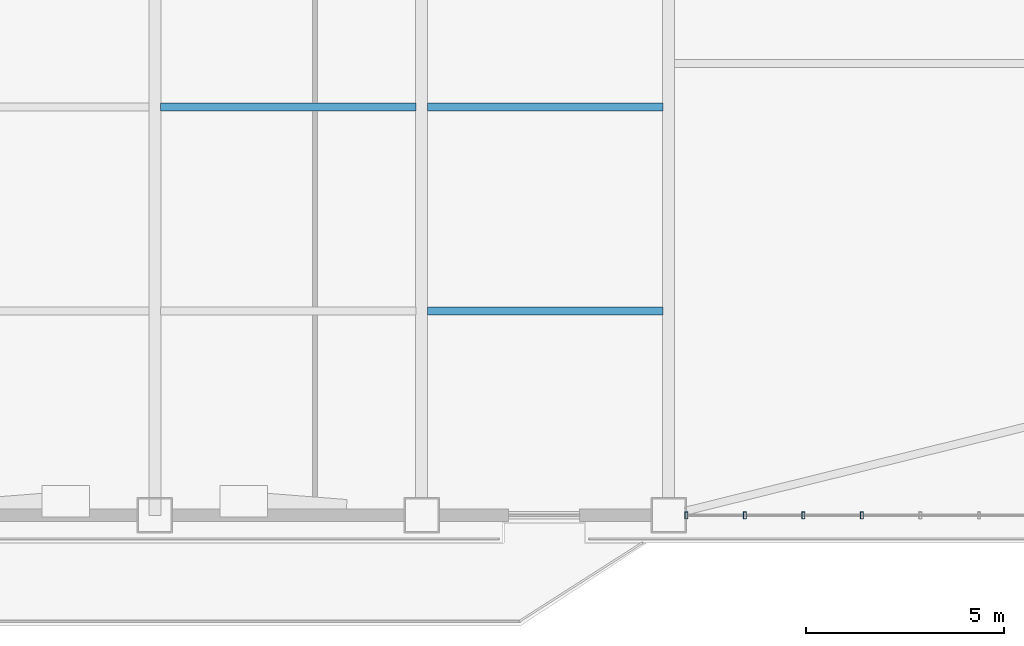
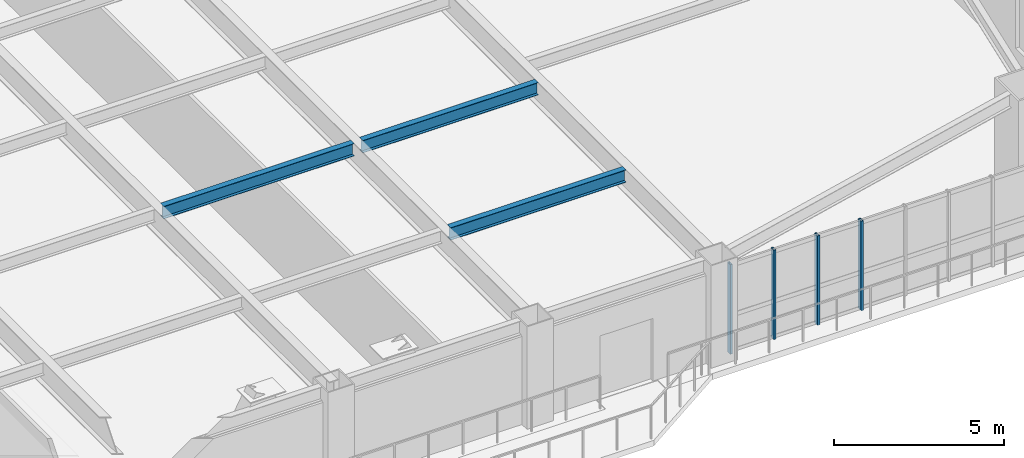
# One storey, part 4 of 15: 4 members, 3 beams, 1 element without a shape of its own.
"""IFC4 building model written with IfcOpenShell, lengths in metres."""

from ifc_helpers import new_model, si_unit, direction, frame, origin, origin_2d, place, context, subcontext, project, spatial, hollow_rectangle, i_section, extrude, source, transform, mapped, material, layer, layer_set, material_profile, profile_set, type_object, element, aggregate, save


model = new_model("IFC4")

# Units and contexts
model_context = context("Model", 3, precision=1e-05, world=origin(), true_north=direction((0.0, 1.0)))
body_context = subcontext(model_context, "Body", "Model", "MODEL_VIEW")
ifc_project = project(units=[si_unit("LENGTHUNIT", "METRE"), si_unit("AREAUNIT", "SQUARE_METRE"), si_unit("VOLUMEUNIT", "CUBIC_METRE"), si_unit("PLANEANGLEUNIT", "RADIAN"), si_unit("MASSUNIT", "GRAM", prefix="KILO")], contexts=[model_context])

# Site, building, storey
site_placement = place(None, origin())
site = spatial("IfcSite", under=ifc_project, at=site_placement, CompositionType="ELEMENT")
building_placement = place(site_placement, origin())
building = spatial("IfcBuilding", under=site, at=building_placement, Name="Giltprow Tower", CompositionType="ELEMENT")
storey_placement = place(building_placement, frame((0.0, 0.0, 103.60009765625)))
storey = spatial("IfcBuildingStorey", under=building, at=storey_placement, Name="L25", CompositionType="ELEMENT", Elevation=103.60009765625)

# Beams
ifc_material_1 = material(Name="Structural steel Q355B", Category="steel")
ifc_material_profile_1 = material_profile(ifc_material_1, i_section(OverallWidth=0.199951171875, OverallDepth=0.449951171875, WebThickness=0.009033203125, FlangeThickness=0.013916015625, at=origin_2d()), Name="HN 450x200x9x14")
ifc_profile_set_1 = profile_set([ifc_material_profile_1], Name="Structural steel Q355B")
beam_type = type_object("IfcBeamType", Name="BM-JOIST-HN450", PredefinedType="JOIST", material=ifc_profile_set_1)
shared_shape_1 = source(origin(), body_context, "Body", "SweptSolid", [
    extrude(i_section(OverallWidth=0.199951171875, OverallDepth=0.449951171875, WebThickness=0.009033203125, FlangeThickness=0.013916015625, at=origin_2d()), origin(), (0.0, 0.0, 1.0), 6.4599609375),
])
beam_placement = place(storey_placement, frame((37.695068359375, 16.791015625, 3.454833984375), z_axis=(1.0, 0.0, 0.0), x_axis=(0.0, 1.0, 0.0)))
element("IfcBeam", 1, at=beam_placement, inside=storey, type_object=beam_type, Name="L25 Composite Floor Joist 2-3", PredefinedType="JOIST", context=body_context, shape_type="MappedRepresentation", body=[
    mapped(shared_shape_1, transform((0.0, 0.0, 0.0), x_axis=(1.0, 0.0, 0.0), y_axis=(0.0, 1.0, 0.0), z_axis=(0.0, 0.0, 1.0), scale=1.0)),
])
shared_shape_2 = source(origin(), body_context, "Body", "SweptSolid", [
    extrude(i_section(OverallWidth=0.199951171875, OverallDepth=0.449951171875, WebThickness=0.009033203125, FlangeThickness=0.013916015625, at=origin_2d()), origin(), (0.0, 0.0, 1.0), 5.9599609375),
])
for number, where, z_axis, x_axis, name in (
    (2, (44.445068359375, 11.626953125, 3.454833984375), (1.0, 0.0, 0.0), (0.0, 1.0, 0.0), "L25 Composite Floor Joist 1-4"),
    (3, (44.445068359375, 16.791015625, 3.454833984375), (1.0, 0.0, 0.0), (0.0, 1.0, 0.0), "L25 Composite Floor Joist 2-4"),
):
    element("IfcBeam", number, at=place(storey_placement, frame(where, z_axis=z_axis, x_axis=x_axis)), inside=storey, type_object=beam_type, Name=name, PredefinedType="JOIST", context=body_context, shape_type="MappedRepresentation", body=[
        mapped(shared_shape_2, transform((0.0, 0.0, 0.0), x_axis=(1.0, 0.0, 0.0), y_axis=(0.0, 1.0, 0.0), z_axis=(0.0, 0.0, 1.0), scale=1.0)),
    ])

# Curtain wall, members
ifc_material_2 = material(Name="Anodized bronze", Category="metal")
ifc_layer = layer(ifc_material_2, 0.179931640625, Name="Anodized bronze")
ifc_layer_set = layer_set([ifc_layer], Name="Anodized bronze")
curtain_wall_type = type_object("IfcCurtainWallType", Name="CW-OFF-RECESSED", PredefinedType="NOTDEFINED", material=ifc_layer_set)
curtain_wall_placement = place(storey_placement, origin())
curtain_wall = element("IfcCurtainWall", 4, at=curtain_wall_placement, inside=storey, type_object=curtain_wall_type, Name="L25 South Recessed Curtain Wall 6", PredefinedType="NOTDEFINED")
ifc_material_profile_2 = material_profile(ifc_material_2, hollow_rectangle(XDim=0.074951171875, YDim=0.179931640625, WallThickness=0.008056640625, at=origin_2d()), Name="RHS 180x75x8")
ifc_profile_set_2 = profile_set([ifc_material_profile_2], Name="Anodized bronze")
member_type = type_object("IfcMemberType", Name="CW-MULLION-180x75", PredefinedType="MULLION", material=ifc_profile_set_2)
shared_shape_3 = source(origin(), body_context, "Body", "SweptSolid", [
    extrude(hollow_rectangle(XDim=0.074951171875, YDim=0.179931640625, WallThickness=0.008056640625, at=origin_2d()), origin(), (0.0, 0.0, 1.0), 3.21484375),
])
member_1_placement = place(storey_placement, frame((51.0, 6.4619140625, -0.02001953125), z_axis=(0.0, 0.0, 1.0), x_axis=(1.0, 0.0, 0.0)))
member_1 = element("IfcMember", 5, at=member_1_placement, type_object=member_type, Name="L25 South Recessed Curtain Wall 6 Mullion 1", PredefinedType="MULLION", context=body_context, shape_type="MappedRepresentation", body=[
    mapped(shared_shape_3, transform((0.0, 0.0, 0.0), x_axis=(1.0, 0.0, 0.0), y_axis=(0.0, 1.0, 0.0), z_axis=(0.0, 0.0, 1.0), scale=1.0)),
])
member_2_placement = place(storey_placement, frame((52.48095703125, 6.4619140625, -0.02001953125), z_axis=(0.0, 0.0, 1.0), x_axis=(1.0, 0.0, 0.0)))
member_2 = element("IfcMember", 6, at=member_2_placement, type_object=member_type, Name="L25 South Recessed Curtain Wall 6 Mullion 2", PredefinedType="MULLION", context=body_context, shape_type="MappedRepresentation", body=[
    mapped(shared_shape_3, transform((0.0, 0.0, 0.0), x_axis=(1.0, 0.0, 0.0), y_axis=(0.0, 1.0, 0.0), z_axis=(0.0, 0.0, 1.0), scale=1.0)),
])
member_3_placement = place(storey_placement, frame((53.9619140625, 6.4619140625, -0.02001953125), z_axis=(0.0, 0.0, 1.0), x_axis=(1.0, 0.0, 0.0)))
member_3 = element("IfcMember", 7, at=member_3_placement, type_object=member_type, Name="L25 South Recessed Curtain Wall 6 Mullion 3", PredefinedType="MULLION", context=body_context, shape_type="MappedRepresentation", body=[
    mapped(shared_shape_3, transform((0.0, 0.0, 0.0), x_axis=(1.0, 0.0, 0.0), y_axis=(0.0, 1.0, 0.0), z_axis=(0.0, 0.0, 1.0), scale=1.0)),
])
member_4_placement = place(storey_placement, frame((55.443115234375, 6.4619140625, -0.02001953125), z_axis=(0.0, 0.0, 1.0), x_axis=(1.0, 0.0, 0.0)))
member_4 = element("IfcMember", 8, at=member_4_placement, type_object=member_type, Name="L25 South Recessed Curtain Wall 6 Mullion 4", PredefinedType="MULLION", context=body_context, shape_type="MappedRepresentation", body=[
    mapped(shared_shape_3, transform((0.0, 0.0, 0.0), x_axis=(1.0, 0.0, 0.0), y_axis=(0.0, 1.0, 0.0), z_axis=(0.0, 0.0, 1.0), scale=1.0)),
])
aggregate(curtain_wall, [member_1, member_2, member_3, member_4])

save(model, "model.ifc")
